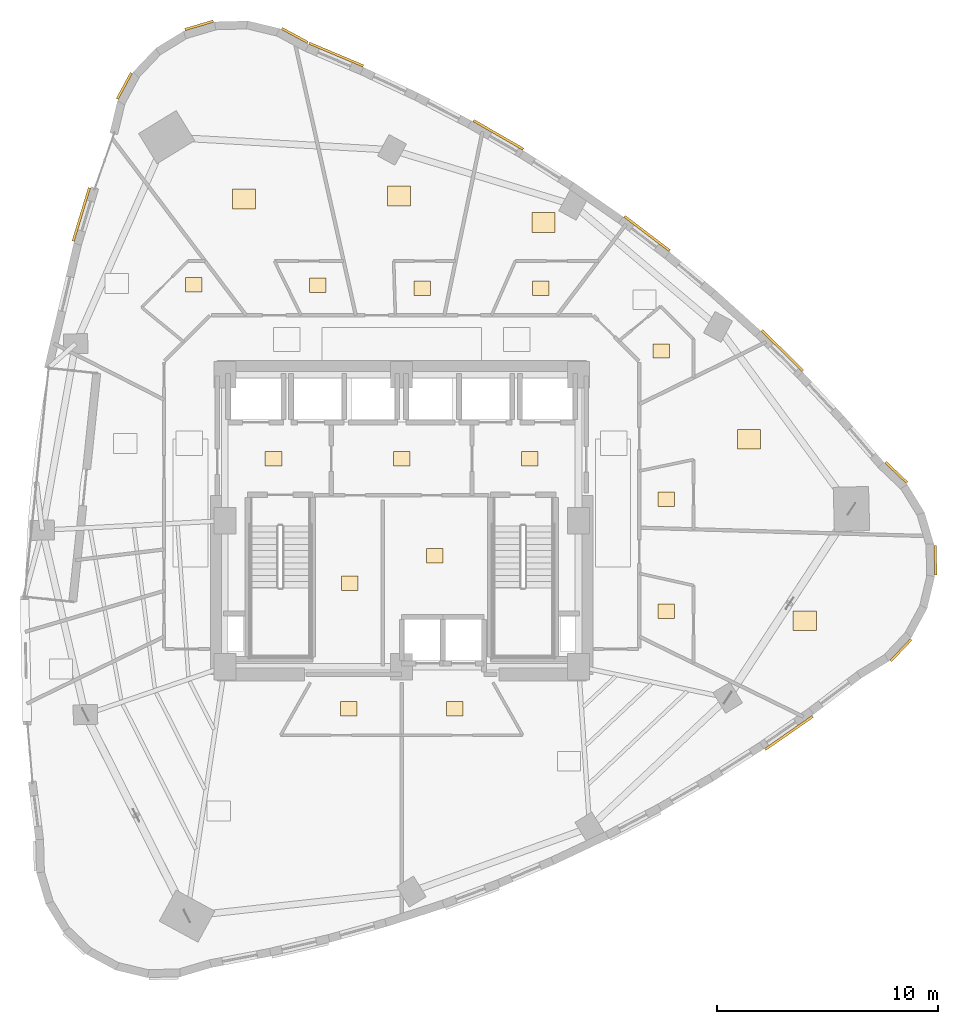
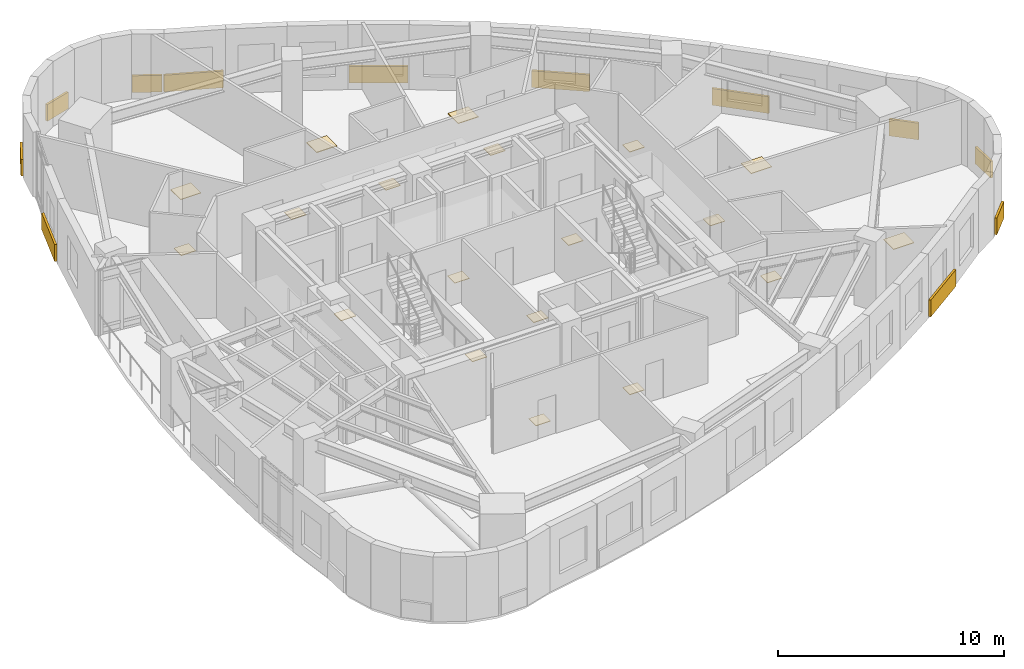
# One storey, part 16 of 16: 31 coverings.
"""IFC4 building model written with IfcOpenShell, lengths in metres."""

from ifc_helpers import new_model, si_unit, direction, frame, origin, origin_2d, place, context, subcontext, project, spatial, rectangle, extrude, material, layer, layer_set, type_object, element, save


model = new_model("IFC4")

# Units and contexts
model_context = context("Model", 3, precision=1e-05, world=origin(), true_north=direction((0.0, 1.0)))
body_context = subcontext(model_context, "Body", "Model", "MODEL_VIEW")
ifc_project = project(units=[si_unit("LENGTHUNIT", "METRE"), si_unit("AREAUNIT", "SQUARE_METRE"), si_unit("VOLUMEUNIT", "CUBIC_METRE"), si_unit("PLANEANGLEUNIT", "RADIAN"), si_unit("MASSUNIT", "GRAM", prefix="KILO")], contexts=[model_context])

# Site, building, storey
site_placement = place(None, origin())
site = spatial("IfcSite", under=ifc_project, at=site_placement, CompositionType="ELEMENT")
building_placement = place(site_placement, origin())
building = spatial("IfcBuilding", under=site, at=building_placement, Name="Ndelora Gate Hotel", CompositionType="ELEMENT")
storey_placement = place(building_placement, frame((0.0, 0.0, 97.25)))
storey = spatial("IfcBuildingStorey", under=building, at=storey_placement, Name="L23", CompositionType="ELEMENT", Elevation=97.25)

# Coverings
ifc_material_1 = material(Name="Terracotta Fired Clay Brick Slip Cladding", Category="masonry")
ifc_layer_1 = layer(ifc_material_1, 0.110107421875)
ifc_layer_set_1 = layer_set([ifc_layer_1], Name="Terracotta Fired Clay Brick Slip Cladding")
covering_type_1 = type_object("IfcCoveringType", Name="COV-CLAD-BRK", PredefinedType="CLADDING", material=ifc_layer_set_1)
for number, where, z_axis, x_axis, name in (
    (1, (-4.835693359375, 21.952880859375, 0.10009765625), (0.0, 0.0, 1.0), (-0.878817112662, 0.47715876026, 0.0), "L23 Rounded-Corner Brick Cladding Band 1"),
    (2, (-9.164306640625, 22.407958984375, 0.10009765625), (0.0, 0.0, 1.0), (0.958819734868, 0.284015344704, 0.0), "L23 Rounded-Corner Brick Cladding Band 4"),
    (3, (-12.54638671875, 19.6689453125, 0.10009765625), (0.0, 0.0, 1.0), (0.47715876026, 0.878817112662, 0.0), "L23 Rounded-Corner Brick Cladding Band 7"),
):
    element("IfcCovering", number, at=place(storey_placement, frame(where, z_axis=z_axis, x_axis=x_axis)), inside=storey, type_object=covering_type_1, Name=name, PredefinedType="CLADDING", context=body_context, shape_type="SweptSolid", body=[
        extrude(rectangle(XDim=1.3359375, YDim=0.110107421875, at=origin_2d()), origin(), (0.0, 0.0, 1.0), 0.89990234375),
    ])
covering_1_placement = place(storey_placement, frame((-14.49365234375, 13.851318359375, 0.10009765625), z_axis=(0.0, 0.0, 1.0), x_axis=(0.291870944669, 0.956457710334, 0.0)))
element("IfcCovering", 4, at=covering_1_placement, inside=storey, type_object=covering_type_1, Name="L23 Rounded-Corner Brick Cladding Band 10", PredefinedType="CLADDING", context=body_context, shape_type="SweptSolid", body=[
    extrude(rectangle(XDim=2.52001953125, YDim=0.110107421875, at=origin_2d()), origin(), (0.0, 0.0, 1.0), 0.89990234375),
])
covering_2_placement = place(storey_placement, frame((17.51708984375, -9.59716796875, 0.10009765625), z_axis=(0.0, 0.0, 1.0), x_axis=(0.820850271661, 0.571143442153, 0.0)))
element("IfcCovering", 5, at=covering_2_placement, inside=storey, type_object=covering_type_1, Name="L23 Rounded-Corner Brick Cladding Band 37", PredefinedType="CLADDING", context=body_context, shape_type="SweptSolid", body=[
    extrude(rectangle(XDim=2.6279296875, YDim=0.110107421875, at=origin_2d()), origin(), (0.0, 0.0, 1.0), 0.89990234375),
])
for number, where, z_axis, x_axis, name in (
    (6, (22.58349609375, -5.854248046875, 0.10009765625), (0.0, 0.0, 1.0), (0.688354575694, 0.725374371012, 0.0), "L23 Rounded-Corner Brick Cladding Band 40"),
    (7, (24.14306640625, -1.791259765625, 0.10009765625), (0.0, 0.0, 1.0), (-0.026176948308, 0.999657324976, 0.0), "L23 Rounded-Corner Brick Cladding Band 43"),
    (8, (22.373046875, 2.184814453125, 0.10009765625), (0.0, 0.0, 1.0), (-0.725374371012, 0.688354575694, 0.0), "L23 Rounded-Corner Brick Cladding Band 46"),
):
    element("IfcCovering", number, at=place(storey_placement, frame(where, z_axis=z_axis, x_axis=x_axis)), inside=storey, type_object=covering_type_1, Name=name, PredefinedType="CLADDING", context=body_context, shape_type="SweptSolid", body=[
        extrude(rectangle(XDim=1.3359375, YDim=0.110107421875, at=origin_2d()), origin(), (0.0, 0.0, 1.0), 0.89990234375),
    ])
covering_3_placement = place(storey_placement, frame((17.223388671875, 7.6953125, 0.10009765625), z_axis=(0.0, 0.0, 1.0), x_axis=(-0.713739602276, 0.700411150784, 0.0)))
element("IfcCovering", 9, at=covering_3_placement, inside=storey, type_object=covering_type_1, Name="L23 Rounded-Corner Brick Cladding Band 49", PredefinedType="CLADDING", context=body_context, shape_type="SweptSolid", body=[
    extrude(rectangle(XDim=2.60791015625, YDim=0.110107421875, at=origin_2d()), origin(), (0.0, 0.0, 1.0), 0.89990234375),
])
covering_4_placement = place(storey_placement, frame((11.1005859375, 12.991455078125, 0.10009765625), z_axis=(0.0, 0.0, 1.0), x_axis=(-0.796318824597, 0.604877119416, 0.0)))
element("IfcCovering", 10, at=covering_4_placement, inside=storey, type_object=covering_type_1, Name="L23 Rounded-Corner Brick Cladding Band 52", PredefinedType="CLADDING", context=body_context, shape_type="SweptSolid", body=[
    extrude(rectangle(XDim=2.580078125, YDim=0.110107421875, at=origin_2d()), origin(), (0.0, 0.0, 1.0), 0.89990234375),
])
covering_5_placement = place(storey_placement, frame((4.373291015625, 17.45556640625, 0.10009765625), z_axis=(0.0, 0.0, 1.0), x_axis=(-0.866635622545, 0.498941577478, 0.0)))
element("IfcCovering", 11, at=covering_5_placement, inside=storey, type_object=covering_type_1, Name="L23 Rounded-Corner Brick Cladding Band 55", PredefinedType="CLADDING", context=body_context, shape_type="SweptSolid", body=[
    extrude(rectangle(XDim=2.593994140625, YDim=0.110107421875, at=origin_2d()), origin(), (0.0, 0.0, 1.0), 0.89990234375),
])
covering_6_placement = place(storey_placement, frame((-2.9580078125, 21.08642578125, 0.10009765625), z_axis=(0.0, 0.0, 1.0), x_axis=(-0.921592390043, 0.388159073855, 0.0)))
element("IfcCovering", 12, at=covering_6_placement, inside=storey, type_object=covering_type_1, Name="L23 Rounded-Corner Brick Cladding Band 58", PredefinedType="CLADDING", context=body_context, shape_type="SweptSolid", body=[
    extrude(rectangle(XDim=2.65087890625, YDim=0.110107421875, at=origin_2d()), origin(), (0.0, 0.0, 1.0), 0.89990234375),
])
ifc_material_2 = material(Name="Engineered Highland Oak Parquet", Category="wood")
ifc_layer_2 = layer(ifc_material_2, 0.030029296875)
ifc_layer_set_2 = layer_set([ifc_layer_2], Name="Engineered Highland Oak Parquet")
covering_type_2 = type_object("IfcCoveringType", Name="COV-FLR-PARQ", PredefinedType="FLOORING", material=ifc_layer_set_2)
for number, where, z_axis, x_axis, name in (
    (13, (18.228271484375, -4.52294921875, 0.0), (0.0, 0.0, 1.0), (1.0, 0.0, 0.0), "L23 Corner Club Suite 2603 Oak Parquet Flooring"),
    (14, (15.706298828125, 3.684814453125, 0.0), (0.0, 0.0, 1.0), (1.0, 0.0, 0.0), "L23 Club King Guest Room 2604 Oak Parquet Flooring"),
    (15, (6.413818359375, 13.495849609375, 0.0), (0.0, 0.0, 1.0), (1.0, 0.0, 0.0), "L23 Club Twin Guest Room 2606 Oak Parquet Flooring"),
    (16, (-0.116455078125, 14.685302734375, 0.0), (0.0, 0.0, 1.0), (1.0, 0.0, 0.0), "L23 Corner Junior Suite 2607 Oak Parquet Flooring"),
    (17, (-7.12890625, 14.55029296875, 0.0), (0.0, 0.0, 1.0), (1.0, 0.0, 0.0), "L23 Club Superior Junior Suite 2608 Oak Parquet Flooring"),
):
    element("IfcCovering", number, at=place(storey_placement, frame(where, z_axis=z_axis, x_axis=x_axis)), inside=storey, type_object=covering_type_2, Name=name, PredefinedType="FLOORING", context=body_context, shape_type="SweptSolid", body=[
        extrude(rectangle(XDim=1.050048828125, YDim=0.89990234375, at=origin_2d()), origin(), (0.0, 0.0, 1.0), 0.030029296875),
    ])
ifc_material_3 = material(Name="Non-Slip Porcelain Wet-Room Tile", Category="ceramic")
ifc_layer_3 = layer(ifc_material_3, 0.02490234375)
ifc_layer_set_3 = layer_set([ifc_layer_3], Name="Non-Slip Porcelain Wet-Room Tile")
covering_type_3 = type_object("IfcCoveringType", Name="COV-FLR-TILE", PredefinedType="FLOORING", material=ifc_layer_set_3)
for number, where, z_axis, x_axis, name in (
    (18, (-5.800048828125, 2.800048828125, 0.0), (0.0, 0.0, 1.0), (1.0, 0.0, 0.0), "L23 Firefighting Lift Lobby West Porcelain Tile Flooring"),
    (19, (5.800048828125, 2.800048828125, 0.0), (0.0, 0.0, 1.0), (1.0, 0.0, 0.0), "L23 Firefighting Lift Lobby East Porcelain Tile Flooring"),
    (20, (0.0, 2.800048828125, 0.0), (0.0, 0.0, 1.0), (1.0, 0.0, 0.0), "L23 Central Passenger Lift Lobby Porcelain Tile Flooring"),
    (21, (-2.35009765625, -2.824951171875, 0.0), (0.0, 0.0, 1.0), (1.0, 0.0, 0.0), "L23 Core Electrical Switchroom Porcelain Tile Flooring"),
    (22, (1.5, -1.574951171875, 0.0), (0.0, 0.0, 1.0), (1.0, 0.0, 0.0), "L23 Central Linen Equipment Store Porcelain Tile Flooring"),
    (23, (-2.3984375, -8.510009765625, 0.0), (0.0, 0.0, 1.0), (1.0, 0.0, 0.0), "L23 En-suite Bathroom 2601 Porcelain Tile Flooring"),
    (24, (2.3984375, -8.510009765625, 0.0), (0.0, 0.0, 1.0), (1.0, 0.0, 0.0), "L23 En-suite Bathroom 2602 Porcelain Tile Flooring"),
    (25, (11.97509765625, -4.08837890625, 0.0), (0.0, 0.0, 1.0), (1.0, 0.0, 0.0), "L23 En-suite Bathroom 2603 Porcelain Tile Flooring"),
    (26, (11.97509765625, 0.97216796875, 0.0), (0.0, 0.0, 1.0), (1.0, 0.0, 0.0), "L23 En-suite Bathroom 2604 Porcelain Tile Flooring"),
    (27, (11.743896484375, 7.6787109375, 0.0), (0.0, 0.0, 1.0), (1.0, 0.0, 0.0), "L23 En-suite Bathroom 2605 Porcelain Tile Flooring"),
    (28, (6.282470703125, 10.52490234375, 0.0), (0.0, 0.0, 1.0), (1.0, 0.0, 0.0), "L23 En-suite Bathroom 2606 Porcelain Tile Flooring"),
    (29, (0.9296875, 10.52490234375, 0.0), (0.0, 0.0, 1.0), (1.0, 0.0, 0.0), "L23 En-suite Bathroom 2607 Porcelain Tile Flooring"),
    (30, (-3.797119140625, 10.650146484375, 0.0), (0.0, 0.0, 1.0), (1.0, 0.0, 0.0), "L23 En-suite Bathroom 2608 Porcelain Tile Flooring"),
    (31, (-9.40625, 10.682861328125, 0.0), (0.0, 0.0, 1.0), (1.0, 0.0, 0.0), "L23 En-suite Bathroom 2609 Porcelain Tile Flooring"),
):
    element("IfcCovering", number, at=place(storey_placement, frame(where, z_axis=z_axis, x_axis=x_axis)), inside=storey, type_object=covering_type_3, Name=name, PredefinedType="FLOORING", context=body_context, shape_type="SweptSolid", body=[
        extrude(rectangle(XDim=0.75, YDim=0.64990234375, at=origin_2d()), origin(), (0.0, 0.0, 1.0), 0.02490234375),
    ])

save(model, "model.ifc")
